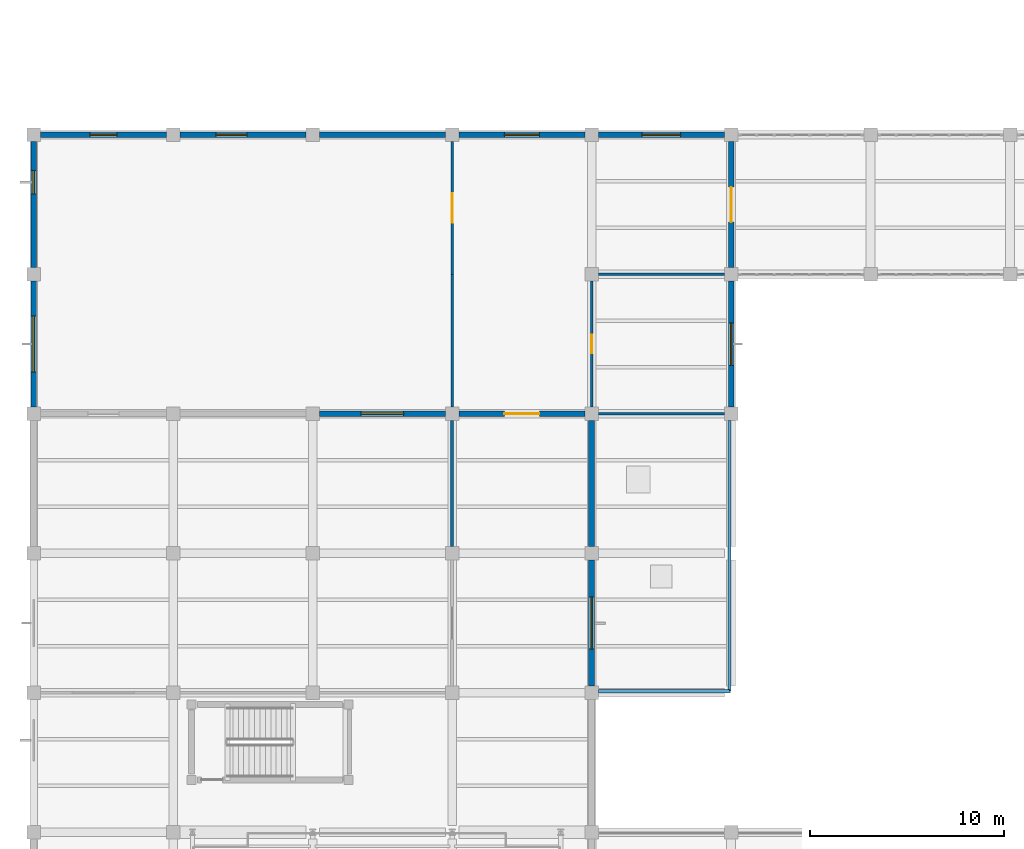
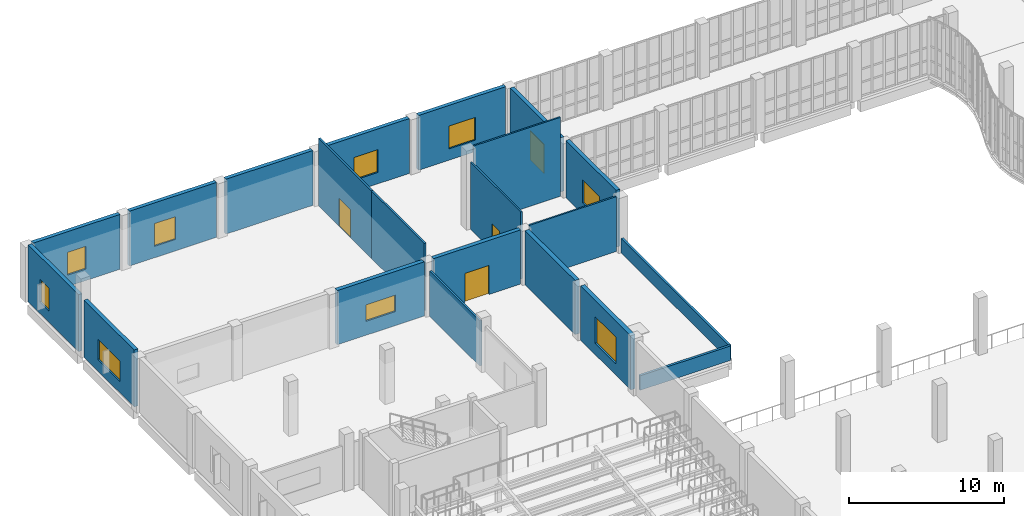
# One storey, part 89 of 108: 21 walls, 9 windows, 4 doors, 13 openings.
"""IFC4 building model written with IfcOpenShell, lengths in metres."""

from ifc_helpers import new_model, si_unit, direction, frame, frame_2d, origin, place, context, subcontext, project, spatial, rectangle, extrude, material, layer, layer_set, type_object, element, fill, save


model = new_model("IFC4")

# Units and contexts
model_context = context("Model", 3, precision=1e-05, world=origin(), true_north=direction((0.0, 1.0)))
body_context = subcontext(model_context, "Body", "Model", "MODEL_VIEW")
ifc_project = project(units=[si_unit("LENGTHUNIT", "METRE"), si_unit("AREAUNIT", "SQUARE_METRE"), si_unit("VOLUMEUNIT", "CUBIC_METRE"), si_unit("PLANEANGLEUNIT", "RADIAN"), si_unit("MASSUNIT", "GRAM", prefix="KILO"), si_unit("THERMODYNAMICTEMPERATUREUNIT", "KELVIN"), si_unit("POWERUNIT", "WATT")], contexts=[model_context])

# Site, building, storey
site_placement = place(None, origin())
site = spatial("IfcSite", under=ifc_project, at=site_placement, CompositionType="ELEMENT")
building_placement = place(site_placement, origin())
building = spatial("IfcBuilding", under=site, at=building_placement, Name="Kaldorven Railside Theatre", CompositionType="ELEMENT")
storey_placement = place(building_placement, frame((0.0, 0.0, 5.39990234375)))
storey = spatial("IfcBuildingStorey", under=building, at=storey_placement, Name="L01", CompositionType="ELEMENT", Elevation=5.39990234375)

# Wall
ifc_material_1 = material(Name="Architectural concrete C40/50", Category="concrete")
ifc_layer_1 = layer(ifc_material_1, 0.320068359375, Name="Architectural concrete C40/50")
ifc_layer_set_1 = layer_set([ifc_layer_1], Name="Architectural concrete C40/50")
wall_type_1 = type_object("IfcWallType", Name="WL-EW04", PredefinedType="SOLIDWALL", material=ifc_layer_set_1)
wall_1_placement = place(storey_placement, frame((36.800048828125, 62.050048828125, 0.0), z_axis=(0.0, 0.0, 1.0), x_axis=(0.0, -1.0, 0.0)))
element("IfcWall", 1, at=wall_1_placement, inside=storey, type_object=wall_type_1, Name="V3 L01 Exterior Wall EW-0156", PredefinedType="SOLIDWALL", context=body_context, shape_type="SweptSolid", body=[
    extrude(rectangle(XDim=6.5, YDim=0.320068359375, at=frame_2d((3.25, 0.0))), origin(), (0.0, 0.0, 1.0), 4.280029296875),
])

# Wall, opening, window
wall_2_placement = place(storey_placement, frame((36.800048828125, 54.85009765625, 0.0), z_axis=(0.0, 0.0, 1.0), x_axis=(0.0, -1.0, 0.0)))
wall_2 = element("IfcWall", 2, at=wall_2_placement, inside=storey, type_object=wall_type_1, Name="V3 L01 Exterior Wall EW-0157", PredefinedType="SOLIDWALL", context=body_context, shape_type="SweptSolid", body=[
    extrude(rectangle(XDim=6.5, YDim=0.320068359375, at=frame_2d((3.25, 0.0))), origin(), (0.0, 0.0, 1.0), 4.280029296875),
])
opening_1_placement = place(wall_2_placement, frame((1.89990234375, 0.0, 0.89990234375)))
opening_1 = element("IfcOpeningElement", 3, at=opening_1_placement, cuts=wall_2, Name="Opening WN-012", PredefinedType="OPENING", context=body_context, shape_type="SweptSolid", body=[
    extrude(rectangle(XDim=2.699951171875, YDim=2.10009765625, at=frame_2d((1.35009765625, 1.050048828125))), frame((0.0, 0.169921875, 0.0), z_axis=(0.0, -1.0, 0.0), x_axis=(1.0, 0.0, 0.0)), (0.0, 0.0, 1.0), 0.340087890625),
])
ifc_material_2 = material(Name="Low-E laminated solar-control glass", Category="glass")
window_type_1 = type_object("IfcWindowType", Name="WN-EW12", PartitioningType="SINGLE_PANEL", PredefinedType="WINDOW", material=ifc_material_2)
window_1_placement = place(opening_1_placement, origin())
window_1 = element("IfcWindow", 4, at=window_1_placement, inside=storey, type_object=window_type_1, Name="Shaded Acoustic Exterior Window WN-012", OverallHeight=2.10009765625, OverallWidth=2.699951171875, PartitioningType="SINGLE_PANEL", PredefinedType="WINDOW", context=body_context, shape_type="SweptSolid", body=[
    extrude(rectangle(XDim=2.699951171875, YDim=2.10009765625, at=frame_2d((1.35009765625, 1.050048828125))), frame((0.0, 0.030029296875, 0.0), z_axis=(0.0, -1.0, 0.0), x_axis=(1.0, 0.0, 0.0)), (0.0, 0.0, 1.0), 0.06005859375),
])
fill(opening_1, window_1)

ifc_layer_2 = layer(ifc_material_1, 0.280029296875, Name="Architectural concrete C40/50")
ifc_layer_set_2 = layer_set([ifc_layer_2], Name="Architectural concrete C40/50")
wall_type_2 = type_object("IfcWallType", Name="WL-EW05", PredefinedType="SOLIDWALL", material=ifc_layer_set_2)
wall_3_placement = place(storey_placement, frame((8.0, 62.75, 0.0), z_axis=(0.0, 0.0, 1.0), x_axis=(0.0, 1.0, 0.0)))
wall_3 = element("IfcWall", 5, at=wall_3_placement, inside=storey, type_object=wall_type_2, Name="V4 L01 Exterior Wall EW-0186", PredefinedType="SOLIDWALL", context=body_context, shape_type="SweptSolid", body=[
    extrude(rectangle(XDim=6.5, YDim=0.280029296875, at=frame_2d((3.25, 0.0))), origin(), (0.0, 0.0, 1.0), 4.5),
])
opening_2_placement = place(wall_3_placement, frame((1.800048828125, 0.0, 0.89990234375)))
opening_2 = element("IfcOpeningElement", 6, at=opening_2_placement, cuts=wall_3, Name="Opening WN-025", PredefinedType="OPENING", context=body_context, shape_type="SweptSolid", body=[
    extrude(rectangle(XDim=2.89990234375, YDim=1.60009765625, at=frame_2d((1.449951171875, 0.800048828125))), frame((0.0, 0.14990234375, 0.0), z_axis=(0.0, -1.0, 0.0), x_axis=(1.0, 0.0, 0.0)), (0.0, 0.0, 1.0), 0.300048828125),
])
window_type_2 = type_object("IfcWindowType", Name="WN-EW25", PartitioningType="SINGLE_PANEL", PredefinedType="WINDOW", material=ifc_material_2)
window_2_placement = place(opening_2_placement, origin())
window_2 = element("IfcWindow", 7, at=window_2_placement, inside=storey, type_object=window_type_2, Name="Shaded Acoustic Exterior Window WN-025", OverallHeight=1.60009765625, OverallWidth=2.89990234375, PartitioningType="SINGLE_PANEL", PredefinedType="WINDOW", context=body_context, shape_type="SweptSolid", body=[
    extrude(rectangle(XDim=2.89990234375, YDim=1.60009765625, at=frame_2d((1.449951171875, 0.800048828125))), frame((0.0, 0.030029296875, 0.0), z_axis=(0.0, -1.0, 0.0), x_axis=(1.0, 0.0, 0.0)), (0.0, 0.0, 1.0), 0.06005859375),
])
fill(opening_2, window_2)

wall_4_placement = place(storey_placement, frame((8.0, 69.949951171875, 0.0), z_axis=(0.0, 0.0, 1.0), x_axis=(0.0, 1.0, 0.0)))
wall_4 = element("IfcWall", 8, at=wall_4_placement, inside=storey, type_object=wall_type_2, Name="V4 L01 Exterior Wall EW-0187", PredefinedType="SOLIDWALL", context=body_context, shape_type="SweptSolid", body=[
    extrude(rectangle(XDim=6.5, YDim=0.280029296875, at=frame_2d((3.25, 0.0))), origin(), (0.0, 0.0, 1.0), 4.5),
])
opening_3_placement = place(wall_4_placement, frame((3.800048828125, 0.0, 0.89990234375)))
opening_3 = element("IfcOpeningElement", 9, at=opening_3_placement, cuts=wall_4, Name="Opening WN-026", PredefinedType="OPENING", context=body_context, shape_type="SweptSolid", body=[
    extrude(rectangle(XDim=1.199951171875, YDim=1.800048828125, at=frame_2d((0.60009765625, 0.89990234375))), frame((0.0, 0.14990234375, 0.0), z_axis=(0.0, -1.0, 0.0), x_axis=(1.0, 0.0, 0.0)), (0.0, 0.0, 1.0), 0.300048828125),
])
window_type_3 = type_object("IfcWindowType", Name="WN-EW01", PartitioningType="SINGLE_PANEL", PredefinedType="WINDOW", material=ifc_material_2)
window_3_placement = place(opening_3_placement, origin())
window_3 = element("IfcWindow", 10, at=window_3_placement, inside=storey, type_object=window_type_3, Name="Shaded Acoustic Exterior Window WN-026", OverallHeight=1.800048828125, OverallWidth=1.199951171875, PartitioningType="SINGLE_PANEL", PredefinedType="WINDOW", context=body_context, shape_type="SweptSolid", body=[
    extrude(rectangle(XDim=1.199951171875, YDim=1.800048828125, at=frame_2d((0.60009765625, 0.89990234375))), frame((0.0, 0.030029296875, 0.0), z_axis=(0.0, -1.0, 0.0), x_axis=(1.0, 0.0, 0.0)), (0.0, 0.0, 1.0), 0.06005859375),
])
fill(opening_3, window_3)

wall_5_placement = place(storey_placement, frame((8.35009765625, 76.800048828125, 0.0), z_axis=(0.0, 0.0, 1.0), x_axis=(1.0, 0.0, 0.0)))
wall_5 = element("IfcWall", 11, at=wall_5_placement, inside=storey, type_object=wall_type_2, Name="V4 L01 Exterior Wall EW-0188", PredefinedType="SOLIDWALL", context=body_context, shape_type="SweptSolid", body=[
    extrude(rectangle(XDim=6.5, YDim=0.280029296875, at=frame_2d((3.25, 0.0))), origin(), (0.0, 0.0, 1.0), 4.333740234375),
])
opening_4_placement = place(wall_5_placement, frame((2.550048828125, 0.0, 0.89990234375)))
opening_4 = element("IfcOpeningElement", 12, at=opening_4_placement, cuts=wall_5, Name="Opening WN-027", PredefinedType="OPENING", context=body_context, shape_type="SweptSolid", body=[
    extrude(rectangle(XDim=1.39990234375, YDim=1.800048828125, at=frame_2d((0.699951171875, 0.89990234375))), frame((0.0, 0.14990234375, 0.0), z_axis=(0.0, -1.0, 0.0), x_axis=(1.0, 0.0, 0.0)), (0.0, 0.0, 1.0), 0.300048828125),
])
window_type_4 = type_object("IfcWindowType", Name="WN-EW02", PartitioningType="SINGLE_PANEL", PredefinedType="WINDOW", material=ifc_material_2)
window_4_placement = place(opening_4_placement, origin())
window_4 = element("IfcWindow", 13, at=window_4_placement, inside=storey, type_object=window_type_4, Name="Shaded Acoustic Exterior Window WN-027", OverallHeight=1.800048828125, OverallWidth=1.39990234375, PartitioningType="SINGLE_PANEL", PredefinedType="WINDOW", context=body_context, shape_type="SweptSolid", body=[
    extrude(rectangle(XDim=1.39990234375, YDim=1.800048828125, at=frame_2d((0.699951171875, 0.89990234375))), frame((0.0, 0.030029296875, 0.0), z_axis=(0.0, -1.0, 0.0), x_axis=(1.0, 0.0, 0.0)), (0.0, 0.0, 1.0), 0.06005859375),
])
fill(opening_4, window_4)

wall_6_placement = place(storey_placement, frame((15.550048828125, 76.800048828125, 0.0), z_axis=(0.0, 0.0, 1.0), x_axis=(1.0, 0.0, 0.0)))
wall_6 = element("IfcWall", 14, at=wall_6_placement, inside=storey, type_object=wall_type_2, Name="V4 L01 Exterior Wall EW-0189", PredefinedType="SOLIDWALL", context=body_context, shape_type="SweptSolid", body=[
    extrude(rectangle(XDim=6.5, YDim=0.280029296875, at=frame_2d((3.25, 0.0))), origin(), (0.0, 0.0, 1.0), 4.333740234375),
])
opening_5_placement = place(wall_6_placement, frame((1.85009765625, 0.0, 0.89990234375)))
opening_5 = element("IfcOpeningElement", 15, at=opening_5_placement, cuts=wall_6, Name="Opening WN-028", PredefinedType="OPENING", context=body_context, shape_type="SweptSolid", body=[
    extrude(rectangle(XDim=1.60009765625, YDim=1.800048828125, at=frame_2d((0.800048828125, 0.89990234375))), frame((0.0, 0.14990234375, 0.0), z_axis=(0.0, -1.0, 0.0), x_axis=(1.0, 0.0, 0.0)), (0.0, 0.0, 1.0), 0.300048828125),
])
window_type_5 = type_object("IfcWindowType", Name="WN-EW03", PartitioningType="SINGLE_PANEL", PredefinedType="WINDOW", material=ifc_material_2)
window_5_placement = place(opening_5_placement, origin())
window_5 = element("IfcWindow", 16, at=window_5_placement, inside=storey, type_object=window_type_5, Name="Shaded Acoustic Exterior Window WN-028", OverallHeight=1.800048828125, OverallWidth=1.60009765625, PartitioningType="SINGLE_PANEL", PredefinedType="WINDOW", context=body_context, shape_type="SweptSolid", body=[
    extrude(rectangle(XDim=1.60009765625, YDim=1.800048828125, at=frame_2d((0.800048828125, 0.89990234375))), frame((0.0, 0.030029296875, 0.0), z_axis=(0.0, -1.0, 0.0), x_axis=(1.0, 0.0, 0.0)), (0.0, 0.0, 1.0), 0.06005859375),
])
fill(opening_5, window_5)

# Wall
wall_7_placement = place(storey_placement, frame((22.75, 76.800048828125, 0.0), z_axis=(0.0, 0.0, 1.0), x_axis=(1.0, 0.0, 0.0)))
element("IfcWall", 17, at=wall_7_placement, inside=storey, type_object=wall_type_2, Name="V4 L01 Exterior Wall EW-0190", PredefinedType="SOLIDWALL", context=body_context, shape_type="SweptSolid", body=[
    extrude(rectangle(XDim=6.5, YDim=0.280029296875, at=frame_2d((3.25, 0.0))), origin(), (0.0, 0.0, 1.0), 4.333740234375),
])

# Wall, opening, window
wall_8_placement = place(storey_placement, frame((29.949951171875, 76.800048828125, 0.0), z_axis=(0.0, 0.0, 1.0), x_axis=(1.0, 0.0, 0.0)))
wall_8 = element("IfcWall", 18, at=wall_8_placement, inside=storey, type_object=wall_type_2, Name="V4 L01 Exterior Wall EW-0191", PredefinedType="SOLIDWALL", context=body_context, shape_type="SweptSolid", body=[
    extrude(rectangle(XDim=6.5, YDim=0.280029296875, at=frame_2d((3.25, 0.0))), origin(), (0.0, 0.0, 1.0), 4.333740234375),
])
opening_6_placement = place(wall_8_placement, frame((2.35009765625, 0.0, 0.89990234375)))
opening_6 = element("IfcOpeningElement", 19, at=opening_6_placement, cuts=wall_8, Name="Opening WN-029", PredefinedType="OPENING", context=body_context, shape_type="SweptSolid", body=[
    extrude(rectangle(XDim=1.800048828125, YDim=1.800048828125, at=frame_2d((0.89990234375, 0.89990234375))), frame((0.0, 0.14990234375, 0.0), z_axis=(0.0, -1.0, 0.0), x_axis=(1.0, 0.0, 0.0)), (0.0, 0.0, 1.0), 0.300048828125),
])
window_type_6 = type_object("IfcWindowType", Name="WN-EW04", PartitioningType="SINGLE_PANEL", PredefinedType="WINDOW", material=ifc_material_2)
window_6_placement = place(opening_6_placement, origin())
window_6 = element("IfcWindow", 20, at=window_6_placement, inside=storey, type_object=window_type_6, Name="Shaded Acoustic Exterior Window WN-029", OverallHeight=1.800048828125, OverallWidth=1.800048828125, PartitioningType="SINGLE_PANEL", PredefinedType="WINDOW", context=body_context, shape_type="SweptSolid", body=[
    extrude(rectangle(XDim=1.800048828125, YDim=1.800048828125, at=frame_2d((0.89990234375, 0.89990234375))), frame((0.0, 0.030029296875, 0.0), z_axis=(0.0, -1.0, 0.0), x_axis=(1.0, 0.0, 0.0)), (0.0, 0.0, 1.0), 0.06005859375),
])
fill(opening_6, window_6)

wall_9_placement = place(storey_placement, frame((37.14990234375, 76.800048828125, 0.0), z_axis=(0.0, 0.0, 1.0), x_axis=(1.0, 0.0, 0.0)))
wall_9 = element("IfcWall", 21, at=wall_9_placement, inside=storey, type_object=wall_type_2, Name="V4 L01 Exterior Wall EW-0192", PredefinedType="SOLIDWALL", context=body_context, shape_type="SweptSolid", body=[
    extrude(rectangle(XDim=6.5, YDim=0.280029296875, at=frame_2d((3.25, 0.0))), origin(), (0.0, 0.0, 1.0), 4.333740234375),
])
opening_7_placement = place(wall_9_placement, frame((2.25, 0.0, 0.89990234375)))
opening_7 = element("IfcOpeningElement", 22, at=opening_7_placement, cuts=wall_9, Name="Opening WN-030", PredefinedType="OPENING", context=body_context, shape_type="SweptSolid", body=[
    extrude(rectangle(XDim=2.0, YDim=1.800048828125, at=frame_2d((1.0, 0.89990234375))), frame((0.0, 0.14990234375, 0.0), z_axis=(0.0, -1.0, 0.0), x_axis=(1.0, 0.0, 0.0)), (0.0, 0.0, 1.0), 0.300048828125),
])
window_type_7 = type_object("IfcWindowType", Name="WN-EW05", PartitioningType="SINGLE_PANEL", PredefinedType="WINDOW", material=ifc_material_2)
window_7_placement = place(opening_7_placement, origin())
window_7 = element("IfcWindow", 23, at=window_7_placement, inside=storey, type_object=window_type_7, Name="Shaded Acoustic Exterior Window WN-030", OverallHeight=1.800048828125, OverallWidth=2.0, PartitioningType="SINGLE_PANEL", PredefinedType="WINDOW", context=body_context, shape_type="SweptSolid", body=[
    extrude(rectangle(XDim=2.0, YDim=1.800048828125, at=frame_2d((1.0, 0.89990234375))), frame((0.0, 0.030029296875, 0.0), z_axis=(0.0, -1.0, 0.0), x_axis=(1.0, 0.0, 0.0)), (0.0, 0.0, 1.0), 0.06005859375),
])
fill(opening_7, window_7)

# Wall, opening, door
wall_10_placement = place(storey_placement, frame((44.0, 76.449951171875, 0.0), z_axis=(0.0, 0.0, 1.0), x_axis=(0.0, -1.0, 0.0)))
wall_10 = element("IfcWall", 24, at=wall_10_placement, inside=storey, type_object=wall_type_2, Name="V4 L01 Exterior Wall EW-0193", PredefinedType="SOLIDWALL", context=body_context, shape_type="SweptSolid", body=[
    extrude(rectangle(XDim=6.5, YDim=0.280029296875, at=frame_2d((3.25, 0.0))), origin(), (0.0, 0.0, 1.0), 4.280029296875),
])
opening_8_placement = place(wall_10_placement, frame((2.35009765625, 0.0, 0.0)))
opening_8 = element("IfcOpeningElement", 25, at=opening_8_placement, cuts=wall_10, Name="Opening ID-0086", PredefinedType="OPENING", context=body_context, shape_type="SweptSolid", body=[
    extrude(rectangle(XDim=1.800048828125, YDim=2.300048828125, at=frame_2d((0.89990234375, 1.14990234375))), frame((0.0, 0.14990234375, 0.0), z_axis=(0.0, -1.0, 0.0), x_axis=(1.0, 0.0, 0.0)), (0.0, 0.0, 1.0), 0.300048828125),
])
ifc_material_3 = material(Name="Acoustic hardwood timber", Category="wood")
door_type_1 = type_object("IfcDoorType", Name="DR-ID-SL60", OperationType="NOTDEFINED", PredefinedType="DOOR", material=ifc_material_3)
door_1_placement = place(opening_8_placement, origin())
door_1 = element("IfcDoor", 26, at=door_1_placement, inside=storey, type_object=door_type_1, Name="L01 Courtyard Veranda West Link Door", OperationType="DOUBLE_DOOR_SINGLE_SWING", OverallHeight=2.300048828125, OverallWidth=1.800048828125, PredefinedType="DOOR", context=body_context, shape_type="SweptSolid", body=[
    extrude(rectangle(XDim=1.800048828125, YDim=2.300048828125, at=frame_2d((0.89990234375, 1.14990234375))), frame((0.0, 0.02490234375, 0.0), z_axis=(0.0, -1.0, 0.0), x_axis=(1.0, 0.0, 0.0)), (0.0, 0.0, 1.0), 0.050048828125),
])
fill(opening_8, door_1)

# Wall, opening, window
wall_11_placement = place(storey_placement, frame((44.0, 69.25, 0.0), z_axis=(0.0, 0.0, 1.0), x_axis=(0.0, -1.0, 0.0)))
wall_11 = element("IfcWall", 27, at=wall_11_placement, inside=storey, type_object=wall_type_2, Name="V4 L01 Exterior Wall EW-0194", PredefinedType="SOLIDWALL", context=body_context, shape_type="SweptSolid", body=[
    extrude(rectangle(XDim=6.5, YDim=0.280029296875, at=frame_2d((3.25, 0.0))), origin(), (0.0, 0.0, 1.0), 4.5),
])
opening_9_placement = place(wall_11_placement, frame((2.14990234375, 0.0, 0.89990234375)))
opening_9 = element("IfcOpeningElement", 28, at=opening_9_placement, cuts=wall_11, Name="Opening WN-031", PredefinedType="OPENING", context=body_context, shape_type="SweptSolid", body=[
    extrude(rectangle(XDim=2.199951171875, YDim=1.800048828125, at=frame_2d((1.10009765625, 0.89990234375))), frame((0.0, 0.14990234375, 0.0), z_axis=(0.0, -1.0, 0.0), x_axis=(1.0, 0.0, 0.0)), (0.0, 0.0, 1.0), 0.300048828125),
])
window_type_8 = type_object("IfcWindowType", Name="WN-EW06", PartitioningType="SINGLE_PANEL", PredefinedType="WINDOW", material=ifc_material_2)
window_8_placement = place(opening_9_placement, origin())
window_8 = element("IfcWindow", 29, at=window_8_placement, inside=storey, type_object=window_type_8, Name="Shaded Acoustic Exterior Window WN-031", OverallHeight=1.800048828125, OverallWidth=2.199951171875, PartitioningType="SINGLE_PANEL", PredefinedType="WINDOW", context=body_context, shape_type="SweptSolid", body=[
    extrude(rectangle(XDim=2.199951171875, YDim=1.800048828125, at=frame_2d((1.10009765625, 0.89990234375))), frame((0.0, 0.030029296875, 0.0), z_axis=(0.0, -1.0, 0.0), x_axis=(1.0, 0.0, 0.0)), (0.0, 0.0, 1.0), 0.06005859375),
])
fill(opening_9, window_8)

# Walls
ifc_layer_3 = layer(ifc_material_1, 0.179931640625, Name="Architectural concrete C40/50")
ifc_layer_set_3 = layer_set([ifc_layer_3], Name="Architectural concrete C40/50")
wall_type_3 = type_object("IfcWallType", Name="WL-EW08", PredefinedType="PARAPET", material=ifc_layer_set_3)
wall_12_placement = place(storey_placement, frame((37.14990234375, 48.090087890625, 0.0), z_axis=(0.0, 0.0, 1.0), x_axis=(1.0, 0.0, 0.0)))
element("IfcWall", 30, at=wall_12_placement, inside=storey, type_object=wall_type_3, Name="Roof Perimeter Parapet PRP-05", PredefinedType="PARAPET", context=body_context, shape_type="SweptSolid", body=[
    extrude(rectangle(XDim=6.760009765625, YDim=0.179931640625, at=frame_2d((3.3798828125, 0.0))), origin(), (0.0, 0.0, 1.0), 1.150146484375),
])
ifc_layer_4 = layer(ifc_material_1, 0.159912109375, Name="Architectural concrete C40/50")
ifc_layer_set_4 = layer_set([ifc_layer_4], Name="Architectural concrete C40/50")
wall_type_4 = type_object("IfcWallType", Name="WL-EW09", PredefinedType="PARAPET", material=ifc_layer_set_4)
wall_13_placement = place(storey_placement, frame((43.909912109375, 48.090087890625, 0.0), z_axis=(0.0, 0.0, 1.0), x_axis=(0.0, 1.0, 0.0)))
element("IfcWall", 31, at=wall_13_placement, inside=storey, type_object=wall_type_4, Name="Roof Perimeter Parapet PRP-04", PredefinedType="PARAPET", context=body_context, shape_type="SweptSolid", body=[
    extrude(rectangle(XDim=13.9599609375, YDim=0.159912109375, at=frame_2d((6.97998046875, 0.0))), origin(), (0.0, 0.0, 1.0), 1.150146484375),
])
ifc_material_4 = material(Name="Acoustic gypsum board")
ifc_layer_5 = layer(ifc_material_4, 0.14990234375, Name="Acoustic gypsum board")
ifc_layer_set_5 = layer_set([ifc_layer_5], Name="Acoustic gypsum board")
wall_type_5 = type_object("IfcWallType", Name="WL-IW-AC1", PredefinedType="PARTITIONING", material=ifc_layer_set_5)
wall_14_placement = place(storey_placement, frame((29.60009765625, 55.550048828125, 0.0), z_axis=(0.0, 0.0, 1.0), x_axis=(0.0, 1.0, 0.0)))
element("IfcWall", 32, at=wall_14_placement, inside=storey, type_object=wall_type_5, Name="L01 Interior Wall IW-0523", PredefinedType="PARTITIONING", context=body_context, shape_type="SweptSolid", body=[
    extrude(rectangle(XDim=6.5, YDim=0.14990234375, at=frame_2d((3.25, 0.0))), origin(), (0.0, 0.0, 1.0), 3.5751953125),
])
ifc_layer_6 = layer(ifc_material_4, 0.139892578125, Name="Acoustic gypsum board")
ifc_layer_set_6 = layer_set([ifc_layer_6], Name="Acoustic gypsum board")
wall_type_6 = type_object("IfcWallType", Name="WL-IW-AC2", PredefinedType="PARTITIONING", material=ifc_layer_set_6)
wall_15_placement = place(storey_placement, frame((29.60009765625, 62.75, 0.0), z_axis=(0.0, 0.0, 1.0), x_axis=(0.0, 1.0, 0.0)))
element("IfcWall", 33, at=wall_15_placement, inside=storey, type_object=wall_type_6, Name="L01 Interior Wall IW-0527", PredefinedType="PARTITIONING", context=body_context, shape_type="SweptSolid", body=[
    extrude(rectangle(XDim=6.85009765625, YDim=0.139892578125, at=frame_2d((3.425048828125, 0.0))), origin(), (0.0, 0.0, 1.0), 5.330078125),
])

# Wall, opening, door
wall_16_placement = place(storey_placement, frame((29.60009765625, 69.60009765625, 0.0), z_axis=(0.0, 0.0, 1.0), x_axis=(0.0, 1.0, 0.0)))
wall_16 = element("IfcWall", 34, at=wall_16_placement, inside=storey, type_object=wall_type_6, Name="L01 Interior Wall IW-0528", PredefinedType="PARTITIONING", context=body_context, shape_type="SweptSolid", body=[
    extrude(rectangle(XDim=6.849853515625, YDim=0.139892578125, at=frame_2d((3.4248046875, 0.0))), origin(), (0.0, 0.0, 1.0), 5.330078125),
])
opening_10_placement = place(wall_16_placement, frame((2.675048828125, 0.0, 0.0)))
opening_10 = element("IfcOpeningElement", 35, at=opening_10_placement, cuts=wall_16, Name="Opening ID-0122", PredefinedType="OPENING", context=body_context, shape_type="SweptSolid", body=[
    extrude(rectangle(XDim=1.5, YDim=2.199951171875, at=frame_2d((0.75, 1.10009765625))), frame((0.0, 0.080078125, 0.0), z_axis=(0.0, -1.0, 0.0), x_axis=(1.0, 0.0, 0.0)), (0.0, 0.0, 1.0), 0.159912109375),
])
door_type_2 = type_object("IfcDoorType", Name="DR-ID-REH2", OperationType="NOTDEFINED", PredefinedType="DOOR", material=ifc_material_3)
door_2_placement = place(opening_10_placement, origin())
door_2 = element("IfcDoor", 36, at=door_2_placement, inside=storey, type_object=door_type_2, Name="Youth Drama Studio North Entry Door", OperationType="DOUBLE_DOOR_SINGLE_SWING", OverallHeight=2.199951171875, OverallWidth=1.5, PredefinedType="DOOR", context=body_context, shape_type="SweptSolid", body=[
    extrude(rectangle(XDim=1.5, YDim=2.199951171875, at=frame_2d((0.75, 1.10009765625))), frame((0.0, 0.02490234375, 0.0), z_axis=(0.0, -1.0, 0.0), x_axis=(1.0, 0.0, 0.0)), (0.0, 0.0, 1.0), 0.050048828125),
])
fill(opening_10, door_2)

# Wall, opening, window
ifc_material_5 = material(Name="Concrete C40/50", Category="concrete")
ifc_layer_7 = layer(ifc_material_5, 0.300048828125, Name="Concrete C40/50")
ifc_layer_set_7 = layer_set([ifc_layer_7], Name="Concrete C40/50")
wall_type_7 = type_object("IfcWallType", Name="WL-IW-CORE", PredefinedType="SHEAR", material=ifc_layer_set_7)
wall_17_placement = place(storey_placement, frame((22.75, 62.39990234375, 0.0), z_axis=(0.0, 0.0, 1.0), x_axis=(1.0, 0.0, 0.0)))
wall_17 = element("IfcWall", 37, at=wall_17_placement, inside=storey, type_object=wall_type_7, Name="L01 Interior Wall AW-0394", PredefinedType="SHEAR", context=body_context, shape_type="SweptSolid", body=[
    extrude(rectangle(XDim=6.5, YDim=0.300048828125, at=frame_2d((3.25, 0.0))), origin(), (0.0, 0.0, 1.0), 4.280029296875),
])
opening_11_placement = place(wall_17_placement, frame((2.14990234375, 0.0, 1.10009765625)))
opening_11 = element("IfcOpeningElement", 38, at=opening_11_placement, cuts=wall_17, Name="Opening IWN-015", PredefinedType="OPENING", context=body_context, shape_type="SweptSolid", body=[
    extrude(rectangle(XDim=2.199951171875, YDim=1.300048828125, at=frame_2d((1.10009765625, 0.64990234375))), frame((0.0, 0.16015625, 0.0), z_axis=(0.0, -1.0, 0.0), x_axis=(1.0, 0.0, 0.0)), (0.0, 0.0, 1.0), 0.320068359375),
])
window_type_9 = type_object("IfcWindowType", Name="WN-IW07", PartitioningType="SINGLE_PANEL", PredefinedType="WINDOW", material=ifc_material_2)
window_9_placement = place(opening_11_placement, origin())
window_9 = element("IfcWindow", 39, at=window_9_placement, inside=storey, type_object=window_type_9, Name="Acoustic Observation Window IWN-015", OverallHeight=1.300048828125, OverallWidth=2.199951171875, PartitioningType="SINGLE_PANEL", PredefinedType="WINDOW", context=body_context, shape_type="SweptSolid", body=[
    extrude(rectangle(XDim=2.199951171875, YDim=1.300048828125, at=frame_2d((1.10009765625, 0.64990234375))), frame((0.0, 0.030029296875, 0.0), z_axis=(0.0, -1.0, 0.0), x_axis=(1.0, 0.0, 0.0)), (0.0, 0.0, 1.0), 0.06005859375),
])
fill(opening_11, window_9)

# Wall, opening, door
wall_18_placement = place(storey_placement, frame((29.949951171875, 62.39990234375, 0.0), z_axis=(0.0, 0.0, 1.0), x_axis=(1.0, 0.0, 0.0)))
wall_18 = element("IfcWall", 40, at=wall_18_placement, inside=storey, type_object=wall_type_7, Name="L01 Interior Wall AW-0395", PredefinedType="SHEAR", context=body_context, shape_type="SweptSolid", body=[
    extrude(rectangle(XDim=6.5, YDim=0.300048828125, at=frame_2d((3.25, 0.0))), origin(), (0.0, 0.0, 1.0), 4.280029296875),
])
opening_12_placement = place(wall_18_placement, frame((2.35009765625, 0.0, 0.0)))
opening_12 = element("IfcOpeningElement", 41, at=opening_12_placement, cuts=wall_18, Name="Opening ID-0088", PredefinedType="OPENING", context=body_context, shape_type="SweptSolid", body=[
    extrude(rectangle(XDim=1.800048828125, YDim=2.300048828125, at=frame_2d((0.89990234375, 1.14990234375))), frame((0.0, 0.16015625, 0.0), z_axis=(0.0, -1.0, 0.0), x_axis=(1.0, 0.0, 0.0)), (0.0, 0.0, 1.0), 0.320068359375),
])
door_3_placement = place(opening_12_placement, origin())
door_3 = element("IfcDoor", 42, at=door_3_placement, inside=storey, type_object=door_type_1, Name="L01 Studio-to-Black-Box Corridor Door", OperationType="DOUBLE_DOOR_SINGLE_SWING", OverallHeight=2.300048828125, OverallWidth=1.800048828125, PredefinedType="DOOR", context=body_context, shape_type="SweptSolid", body=[
    extrude(rectangle(XDim=1.800048828125, YDim=2.300048828125, at=frame_2d((0.89990234375, 1.14990234375))), frame((0.0, 0.02490234375, 0.0), z_axis=(0.0, -1.0, 0.0), x_axis=(1.0, 0.0, 0.0)), (0.0, 0.0, 1.0), 0.050048828125),
])
fill(opening_12, door_3)

# Wall
ifc_material_6 = material(Name="Fire-rated acoustic gypsum board")
ifc_layer_8 = layer(ifc_material_6, 0.1201171875, Name="Fire-rated acoustic gypsum board")
ifc_layer_set_8 = layer_set([ifc_layer_8], Name="Fire-rated acoustic gypsum board")
wall_type_8 = type_object("IfcWallType", Name="WL-IW-PT1", PredefinedType="PARTITIONING", material=ifc_layer_set_8)
wall_19_placement = place(storey_placement, frame((43.64990234375, 69.60009765625, 0.0), z_axis=(0.0, 0.0, 1.0), x_axis=(-1.0, 0.0, 0.0)))
element("IfcWall", 43, at=wall_19_placement, inside=storey, type_object=wall_type_8, Name="L01 Interior Wall IW-0529", PredefinedType="PARTITIONING", context=body_context, shape_type="SweptSolid", body=[
    extrude(rectangle(XDim=6.5, YDim=0.1201171875, at=frame_2d((3.25, 0.0))), origin(), (0.0, 0.0, 1.0), 6.23388671875),
])

# Wall, opening, door
wall_20_placement = place(storey_placement, frame((36.800048828125, 69.25, 0.0), z_axis=(0.0, 0.0, 1.0), x_axis=(0.0, -1.0, 0.0)))
wall_20 = element("IfcWall", 44, at=wall_20_placement, inside=storey, type_object=wall_type_8, Name="L01 Interior Wall IW-0530", PredefinedType="PARTITIONING", context=body_context, shape_type="SweptSolid", body=[
    extrude(rectangle(XDim=6.5, YDim=0.1201171875, at=frame_2d((3.25, 0.0))), origin(), (0.0, 0.0, 1.0), 5.28369140625),
])
opening_13_placement = place(wall_20_placement, frame((2.77490234375, 0.0, 0.0)))
opening_13 = element("IfcOpeningElement", 45, at=opening_13_placement, cuts=wall_20, Name="Opening ID-0123", PredefinedType="OPENING", context=body_context, shape_type="SweptSolid", body=[
    extrude(rectangle(XDim=0.949951171875, YDim=2.1201171875, at=frame_2d((0.47509765625, 1.06005859375))), frame((0.0, 0.070068359375, 0.0), z_axis=(0.0, -1.0, 0.0), x_axis=(1.0, 0.0, 0.0)), (0.0, 0.0, 1.0), 0.14013671875),
])
door_type_3 = type_object("IfcDoorType", Name="DR-ID-OFF1", OperationType="NOTDEFINED", PredefinedType="DOOR", material=ifc_material_3)
door_4_placement = place(opening_13_placement, origin())
door_4 = element("IfcDoor", 46, at=door_4_placement, inside=storey, type_object=door_type_3, Name="Practice Room West Entry Door", OperationType="SINGLE_SWING_LEFT", OverallHeight=2.1201171875, OverallWidth=0.949951171875, PredefinedType="DOOR", context=body_context, shape_type="SweptSolid", body=[
    extrude(rectangle(XDim=0.949951171875, YDim=2.1201171875, at=frame_2d((0.47509765625, 1.06005859375))), frame((0.0, 0.02490234375, 0.0), z_axis=(0.0, -1.0, 0.0), x_axis=(1.0, 0.0, 0.0)), (0.0, 0.0, 1.0), 0.050048828125),
])
fill(opening_13, door_4)

# Wall
wall_21_placement = place(storey_placement, frame((37.14990234375, 62.39990234375, 0.0), z_axis=(0.0, 0.0, 1.0), x_axis=(1.0, 0.0, 0.0)))
element("IfcWall", 47, at=wall_21_placement, inside=storey, type_object=wall_type_8, Name="L01 Interior Wall IW-0531", PredefinedType="PARTITIONING", context=body_context, shape_type="SweptSolid", body=[
    extrude(rectangle(XDim=6.5, YDim=0.1201171875, at=frame_2d((3.25, 0.0))), origin(), (0.0, 0.0, 1.0), 4.333740234375),
])

save(model, "model.ifc")
